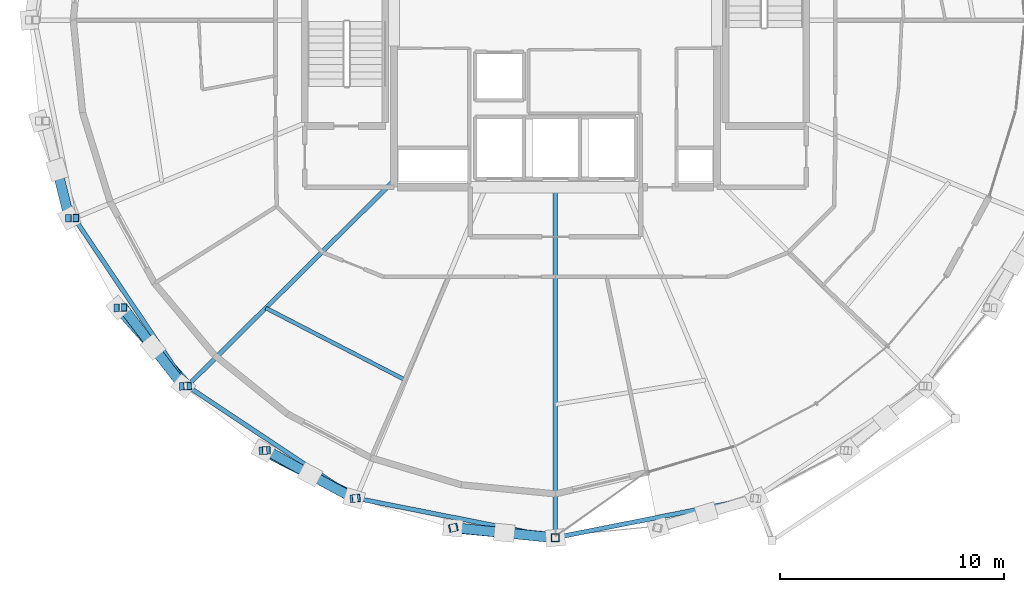
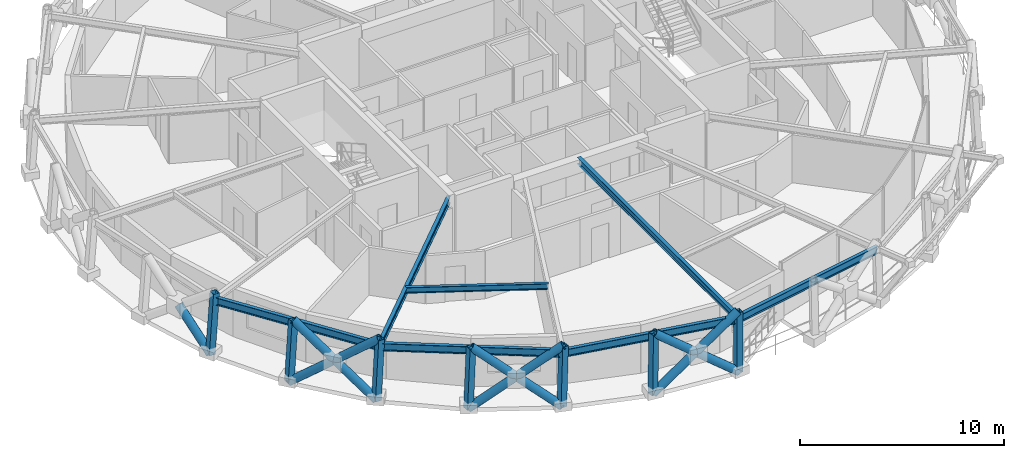
# One storey, part 1 of 18: 17 members, 7 beams.
"""IFC4 building model written with IfcOpenShell, lengths in metres."""

from ifc_helpers import new_model, si_unit, direction, frame, origin, origin_2d, place, context, subcontext, project, spatial, hollow_rectangle, hollow_circle, i_section, extrude, material, material_profile, profile_set, type_object, element, save


model = new_model("IFC4")

# Units and contexts
model_context = context("Model", 3, precision=1e-05, world=origin(), true_north=direction((0.0, 1.0)))
body_context = subcontext(model_context, "Body", "Model", "MODEL_VIEW")
ifc_project = project(units=[si_unit("LENGTHUNIT", "METRE"), si_unit("AREAUNIT", "SQUARE_METRE"), si_unit("VOLUMEUNIT", "CUBIC_METRE"), si_unit("PLANEANGLEUNIT", "RADIAN"), si_unit("MASSUNIT", "GRAM", prefix="KILO")], contexts=[model_context])

# Site, building, storey
site_placement = place(None, origin())
site = spatial("IfcSite", under=ifc_project, at=site_placement, CompositionType="ELEMENT")
building_placement = place(site_placement, origin())
building = spatial("IfcBuilding", under=site, at=building_placement, Name="Veldorina Hangang Commons", CompositionType="ELEMENT")
storey_placement = place(building_placement, frame((0.0, 0.0, 243.60009765625)))
storey = spatial("IfcBuildingStorey", under=building, at=storey_placement, Name="L63", CompositionType="ELEMENT", Elevation=243.60009765625)

# Beams
ifc_material = material(Name="Steel SM355-TMC", Category="steel")
ifc_material_profile_1 = material_profile(ifc_material, i_section(OverallWidth=0.199951171875, OverallDepth=0.39990234375, WebThickness=0.008056640625, FlangeThickness=0.012939453125, FilletRadius=0.012939453125, at=origin_2d()), Name="H-400x200x8x13")
ifc_profile_set_1 = profile_set([ifc_material_profile_1], Name="Steel SM355-TMC")
beam_type_1 = type_object("IfcBeamType", Name="BM-FG400", PredefinedType="BEAM", material=ifc_profile_set_1)
beam_1_placement = place(storey_placement, frame((24.800048828125, 16.8447265625, 3.159912109375), z_axis=(-0.709301904205, -0.704904822435, 0.0), x_axis=(0.704904822435, -0.709301904205, 0.0)))
element("IfcBeam", 1, at=beam_1_placement, inside=storey, type_object=beam_type_1, Name="L63 radial floor girder 11", PredefinedType="BEAM", context=body_context, shape_type="SweptSolid", body=[
    extrude(i_section(OverallWidth=0.199951171875, OverallDepth=0.39990234375, WebThickness=0.008056640625, FlangeThickness=0.012939453125, FilletRadius=0.012939453125, at=origin_2d()), origin(), (0.0, 0.0, 1.0), 12.992431640625),
])
beam_2_placement = place(storey_placement, frame((32.0, 16.550048828125, 3.159912109375), z_axis=(0.0, -1.0, 0.0), x_axis=(1.0, 0.0, 0.0)))
element("IfcBeam", 2, at=beam_2_placement, inside=storey, type_object=beam_type_1, Name="L63 radial floor girder 13", PredefinedType="BEAM", context=body_context, shape_type="SweptSolid", body=[
    extrude(i_section(OverallWidth=0.199951171875, OverallDepth=0.39990234375, WebThickness=0.008056640625, FlangeThickness=0.012939453125, FilletRadius=0.012939453125, at=origin_2d()), origin(), (0.0, 0.0, 1.0), 15.621337890625),
])
ifc_material_profile_2 = material_profile(ifc_material, i_section(OverallWidth=0.175048828125, OverallDepth=0.35009765625, WebThickness=0.007080078125, FlangeThickness=0.010986328125, FilletRadius=0.012939453125, at=origin_2d()), Name="H-350x175x7x11")
ifc_profile_set_2 = profile_set([ifc_material_profile_2], Name="Steel SM355-TMC")
beam_type_2 = type_object("IfcBeamType", Name="BM-JST350", PredefinedType="JOIST", material=ifc_profile_set_2)
beam_3_placement = place(storey_placement, frame((19.086181640625, 11.16650390625, 3.184814453125), z_axis=(0.888646311677, -0.458593210528, 0.0), x_axis=(0.458593210528, 0.888646311677, 0.0)))
element("IfcBeam", 3, at=beam_3_placement, inside=storey, type_object=beam_type_2, Name="L63 secondary floor joist 11", PredefinedType="JOIST", context=body_context, shape_type="SweptSolid", body=[
    extrude(i_section(OverallWidth=0.175048828125, OverallDepth=0.35009765625, WebThickness=0.007080078125, FlangeThickness=0.010986328125, FilletRadius=0.012939453125, at=origin_2d()), origin(), (0.0, 0.0, 1.0), 7.005859375),
])
ifc_material_profile_3 = material_profile(ifc_material, i_section(OverallWidth=0.199951171875, OverallDepth=0.449951171875, WebThickness=0.009033203125, FlangeThickness=0.013916015625, FilletRadius=0.01611328125, at=origin_2d()), Name="H-450x200x9x14")
ifc_profile_set_3 = profile_set([ifc_material_profile_3], Name="Steel SM355-TMC")
beam_type_3 = type_object("IfcBeamType", Name="BM-RB450", PredefinedType="BEAM", material=ifc_profile_set_3)
beam_4_placement = place(storey_placement, frame((10.552001953125, 15.1708984375, 3.135009765625), z_axis=(0.557975413359, -0.829857480587, 0.0), x_axis=(0.829857480587, 0.557975413359, 0.0)))
element("IfcBeam", 4, at=beam_4_placement, inside=storey, type_object=beam_type_3, Name="L63 perimeter hoop ring beam 18", PredefinedType="BEAM", context=body_context, shape_type="SweptSolid", body=[
    extrude(i_section(OverallWidth=0.199951171875, OverallDepth=0.449951171875, WebThickness=0.009033203125, FlangeThickness=0.013916015625, FilletRadius=0.01611328125, at=origin_2d()), origin(), (0.0, 0.0, 1.0), 9.01904296875),
])
beam_5_placement = place(storey_placement, frame((15.58447265625, 7.686279296875, 3.135009765625), z_axis=(0.83305846509, -0.55318495437, 0.0), x_axis=(0.55318495437, 0.83305846509, 0.0)))
element("IfcBeam", 5, at=beam_5_placement, inside=storey, type_object=beam_type_3, Name="L63 perimeter hoop ring beam 20", PredefinedType="BEAM", context=body_context, shape_type="SweptSolid", body=[
    extrude(i_section(OverallWidth=0.199951171875, OverallDepth=0.449951171875, WebThickness=0.009033203125, FlangeThickness=0.013916015625, FilletRadius=0.01611328125, at=origin_2d()), origin(), (0.0, 0.0, 1.0), 9.040771484375),
])
for number, where, z_axis, x_axis, name in (
    (6, (23.115966796875, 2.68505859375, 3.135009765625), (0.981012724964, -0.193943376938, 0.0), (0.193943376938, 0.981012724964, 0.0), "L63 perimeter hoop ring beam 22"),
    (7, (32.0, 0.9287109375, 3.135009765625), (0.981012724964, 0.193943376938, 0.0), (-0.193943376938, 0.981012724964, 0.0), "L63 perimeter hoop ring beam 24"),
):
    element("IfcBeam", number, at=place(storey_placement, frame(where, z_axis=z_axis, x_axis=x_axis)), inside=storey, type_object=beam_type_3, Name=name, PredefinedType="BEAM", context=body_context, shape_type="SweptSolid", body=[
        extrude(i_section(OverallWidth=0.199951171875, OverallDepth=0.449951171875, WebThickness=0.009033203125, FlangeThickness=0.013916015625, FilletRadius=0.01611328125, at=origin_2d()), origin(), (0.0, 0.0, 1.0), 9.055908203125),
    ])

# Members
ifc_material_profile_4 = material_profile(ifc_material, hollow_circle(Radius=0.22509765625, WallThickness=0.02197265625, at=origin_2d()), Name="CHS-450x22")
ifc_profile_set_4 = profile_set([ifc_material_profile_4], Name="Steel SM355-TMC")
member_type_1 = type_object("IfcMemberType", Name="DG-CHS450", PredefinedType="BRACE", material=ifc_profile_set_4)
member_1_placement = place(storey_placement, frame((10.33203125, 15.1669921875, 0.0), z_axis=(-0.188446811824, 0.755063987214, 0.627985807424), x_axis=(-0.970238928045, -0.242149587047, 0.0)))
element("IfcMember", 8, at=member_1_placement, inside=storey, type_object=member_type_1, Name="L63 split perimeter diagrid lower brace 18", PredefinedType="BRACE", context=body_context, shape_type="SweptSolid", body=[
    extrude(hollow_circle(Radius=0.22509765625, WallThickness=0.02197265625, at=origin_2d()), origin(), (0.0, 0.0, 1.0), 2.868408203125),
])
member_2_placement = place(storey_placement, frame((12.49951171875, 11.176513671875, 0.0), z_axis=(0.527132459464, -0.591441129743, 0.610187479573), x_axis=(0.746526808037, 0.665355337306, 0.0)))
element("IfcMember", 9, at=member_2_placement, inside=storey, type_object=member_type_1, Name="L63 continuous perimeter diagrid brace 19", PredefinedType="BRACE", context=body_context, shape_type="SweptSolid", body=[
    extrude(hollow_circle(Radius=0.22509765625, WallThickness=0.02197265625, at=origin_2d()), origin(), (0.0, 0.0, 1.0), 5.899658203125),
])
member_3_placement = place(storey_placement, frame((15.416015625, 7.6787109375, 0.0), z_axis=(-0.475350938767, 0.612288936233, 0.631778239243), x_axis=(-0.789898189147, -0.613238005005, 0.0)))
element("IfcMember", 10, at=member_3_placement, inside=storey, type_object=member_type_1, Name="L63 split perimeter diagrid lower brace 20", PredefinedType="BRACE", context=body_context, shape_type="SweptSolid", body=[
    extrude(hollow_circle(Radius=0.22509765625, WallThickness=0.02197265625, at=origin_2d()), origin(), (0.0, 0.0, 1.0), 2.856201171875),
])
member_4_placement = place(storey_placement, frame((14.058349609375, 9.427490234375, 1.804443359375), z_axis=(-0.468473184187, 0.617673389711, 0.631674330126), x_axis=(-0.79675749481, -0.604299176289, 0.0)))
element("IfcMember", 11, at=member_4_placement, inside=storey, type_object=member_type_1, Name="L63 split perimeter diagrid upper brace 20", PredefinedType="BRACE", context=body_context, shape_type="SweptSolid", body=[
    extrude(hollow_circle(Radius=0.22509765625, WallThickness=0.02197265625, at=origin_2d()), origin(), (0.0, 0.0, 1.0), 2.84228515625),
])
member_5_placement = place(storey_placement, frame((18.97021484375, 4.80810546875, 0.0), z_axis=(0.705453883304, -0.359890801819, 0.610584498081), x_axis=(0.454435626625, 0.890779580622, 0.0)))
element("IfcMember", 12, at=member_5_placement, inside=storey, type_object=member_type_1, Name="L63 continuous perimeter diagrid brace 21", PredefinedType="BRACE", context=body_context, shape_type="SweptSolid", body=[
    extrude(hollow_circle(Radius=0.22509765625, WallThickness=0.02197265625, at=origin_2d()), origin(), (0.0, 0.0, 1.0), 5.895751953125),
])
member_6_placement = place(storey_placement, frame((23.02490234375, 2.67529296875, 0.0), z_axis=(-0.683435000036, 0.371046377488, 0.628682102878), x_axis=(-0.477130405056, -0.878832507689, 0.0)))
element("IfcMember", 13, at=member_6_placement, inside=storey, type_object=member_type_1, Name="L63 split perimeter diagrid lower brace 22", PredefinedType="BRACE", context=body_context, shape_type="SweptSolid", body=[
    extrude(hollow_circle(Radius=0.22509765625, WallThickness=0.02197265625, at=origin_2d()), origin(), (0.0, 0.0, 1.0), 2.8759765625),
])
member_7_placement = place(storey_placement, frame((21.059326171875, 3.742431640625, 1.80810546875), z_axis=(-0.679826093689, 0.377481256306, 0.628764171592), x_axis=(-0.485446468572, -0.874266393127, 0.0)))
element("IfcMember", 14, at=member_7_placement, inside=storey, type_object=member_type_1, Name="L63 split perimeter diagrid upper brace 22", PredefinedType="BRACE", context=body_context, shape_type="SweptSolid", body=[
    extrude(hollow_circle(Radius=0.22509765625, WallThickness=0.02197265625, at=origin_2d()), origin(), (0.0, 0.0, 1.0), 2.849609375),
])
member_8_placement = place(storey_placement, frame((27.424560546875, 1.36181640625, 0.0), z_axis=(0.783763377436, -0.073897331409, 0.616647510821), x_axis=(0.093868946257, 0.99558456242, 0.0)))
element("IfcMember", 15, at=member_8_placement, inside=storey, type_object=member_type_1, Name="L63 continuous perimeter diagrid brace 23", PredefinedType="BRACE", context=body_context, shape_type="SweptSolid", body=[
    extrude(hollow_circle(Radius=0.22509765625, WallThickness=0.02197265625, at=origin_2d()), origin(), (0.0, 0.0, 1.0), 5.837890625),
])
member_9_placement = place(storey_placement, frame((32.0, 0.918212890625, 0.0), z_axis=(-0.780049410292, 0.077703505018, 0.62087445012), x_axis=(-0.099122990113, -0.995075189537, 0.0)))
element("IfcMember", 16, at=member_9_placement, inside=storey, type_object=member_type_1, Name="L63 split perimeter diagrid lower brace 24", PredefinedType="BRACE", context=body_context, shape_type="SweptSolid", body=[
    extrude(hollow_circle(Radius=0.22509765625, WallThickness=0.02197265625, at=origin_2d()), origin(), (0.0, 0.0, 1.0), 2.915771484375),
])
member_10_placement = place(storey_placement, frame((29.7255859375, 1.144775390625, 1.810302734375), z_axis=(-0.779874255977, 0.079368108814, 0.620883924874), x_axis=(-0.101247422189, -0.994861276511, 0.0)))
element("IfcMember", 17, at=member_10_placement, inside=storey, type_object=member_type_1, Name="L63 split perimeter diagrid upper brace 24", PredefinedType="BRACE", context=body_context, shape_type="SweptSolid", body=[
    extrude(hollow_circle(Radius=0.22509765625, WallThickness=0.02197265625, at=origin_2d()), origin(), (0.0, 0.0, 1.0), 2.88232421875),
])
ifc_material_profile_5 = material_profile(ifc_material, hollow_rectangle(XDim=0.35009765625, YDim=0.35009765625, WallThickness=0.01611328125, at=origin_2d()), Name="SHS-350x350x16")
ifc_profile_set_5 = profile_set([ifc_material_profile_5], Name="Steel SM355-TMC")
member_type_2 = type_object("IfcMemberType", Name="STR-SHS350", PredefinedType="STRUT", material=ifc_profile_set_5)
member_11_placement = place(storey_placement, frame((10.33203125, 15.1669921875, 0.0), z_axis=(0.070020939835, 0.001285408557, 0.99754469359), x_axis=(-0.018354395492, 0.999831543894, 0.0)))
element("IfcMember", 18, at=member_11_placement, inside=storey, type_object=member_type_2, Name="L63 perimeter ring node post 18", PredefinedType="STRUT", context=body_context, shape_type="SweptSolid", body=[
    extrude(hollow_rectangle(XDim=0.35009765625, YDim=0.35009765625, WallThickness=0.01611328125, at=origin_2d()), origin(), (0.0, 0.0, 1.0), 3.608642578125),
])
member_12_placement = place(storey_placement, frame((12.49951171875, 11.176513671875, 0.0), z_axis=(0.063014458194, 0.001827486972, 0.998010940997), x_axis=(-0.028988885947, 0.999579733934, 0.0)))
element("IfcMember", 19, at=member_12_placement, inside=storey, type_object=member_type_2, Name="L63 perimeter ring node post 19", PredefinedType="STRUT", context=body_context, shape_type="SweptSolid", body=[
    extrude(hollow_rectangle(XDim=0.35009765625, YDim=0.35009765625, WallThickness=0.01611328125, at=origin_2d()), origin(), (0.0, 0.0, 1.0), 3.60693359375),
])
member_13_placement = place(storey_placement, frame((15.416015625, 7.6787109375, 0.0), z_axis=(0.05363565583, 0.002370262568, 0.99855775911), x_axis=(-0.044148830526, 0.999024965035, 0.0)))
element("IfcMember", 20, at=member_13_placement, inside=storey, type_object=member_type_2, Name="L63 perimeter ring node post 20", PredefinedType="STRUT", context=body_context, shape_type="SweptSolid", body=[
    extrude(hollow_rectangle(XDim=0.35009765625, YDim=0.35009765625, WallThickness=0.01611328125, at=origin_2d()), origin(), (0.0, 0.0, 1.0), 3.60498046875),
])
member_14_placement = place(storey_placement, frame((18.97021484375, 4.80810546875, 0.0), z_axis=(0.042146146048, 0.002778122167, 0.999107594011), x_axis=(-0.065773661248, 0.997834568196, 0.0)))
element("IfcMember", 21, at=member_14_placement, inside=storey, type_object=member_type_2, Name="L63 perimeter ring node post 21", PredefinedType="STRUT", context=body_context, shape_type="SweptSolid", body=[
    extrude(hollow_rectangle(XDim=0.35009765625, YDim=0.35009765625, WallThickness=0.01611328125, at=origin_2d()), origin(), (0.0, 0.0, 1.0), 3.60302734375),
])
member_15_placement = place(storey_placement, frame((23.02490234375, 2.67529296875, 0.0), z_axis=(0.029014433133, 0.003050582923, 0.999574337713), x_axis=(-0.10456382711, 0.994518177843, 0.0)))
element("IfcMember", 22, at=member_15_placement, inside=storey, type_object=member_type_2, Name="L63 perimeter ring node post 22", PredefinedType="STRUT", context=body_context, shape_type="SweptSolid", body=[
    extrude(hollow_rectangle(XDim=0.35009765625, YDim=0.35009765625, WallThickness=0.01611328125, at=origin_2d()), origin(), (0.0, 0.0, 1.0), 3.601318359375),
])
member_16_placement = place(storey_placement, frame((27.424560546875, 1.36181640625, 0.0), z_axis=(0.014782978858, 0.003254967822, 0.999885427797), x_axis=(-0.21503270071, 0.976606849057, 0.0)))
element("IfcMember", 23, at=member_16_placement, inside=storey, type_object=member_type_2, Name="L63 perimeter ring node post 23", PredefinedType="STRUT", context=body_context, shape_type="SweptSolid", body=[
    extrude(hollow_rectangle(XDim=0.35009765625, YDim=0.35009765625, WallThickness=0.01611328125, at=origin_2d()), origin(), (0.0, 0.0, 1.0), 3.600341796875),
])
member_17_placement = place(storey_placement, frame((32.0, 0.918212890625, 0.0), z_axis=(0.0, 0.003390960497, 0.999994250677), x_axis=(-1.0, 0.0, 0.0)))
element("IfcMember", 24, at=member_17_placement, inside=storey, type_object=member_type_2, Name="L63 perimeter ring node post 24", PredefinedType="STRUT", context=body_context, shape_type="SweptSolid", body=[
    extrude(hollow_rectangle(XDim=0.35009765625, YDim=0.35009765625, WallThickness=0.01611328125, at=origin_2d()), origin(), (0.0, 0.0, 1.0), 3.599853515625),
])

save(model, "model.ifc")
